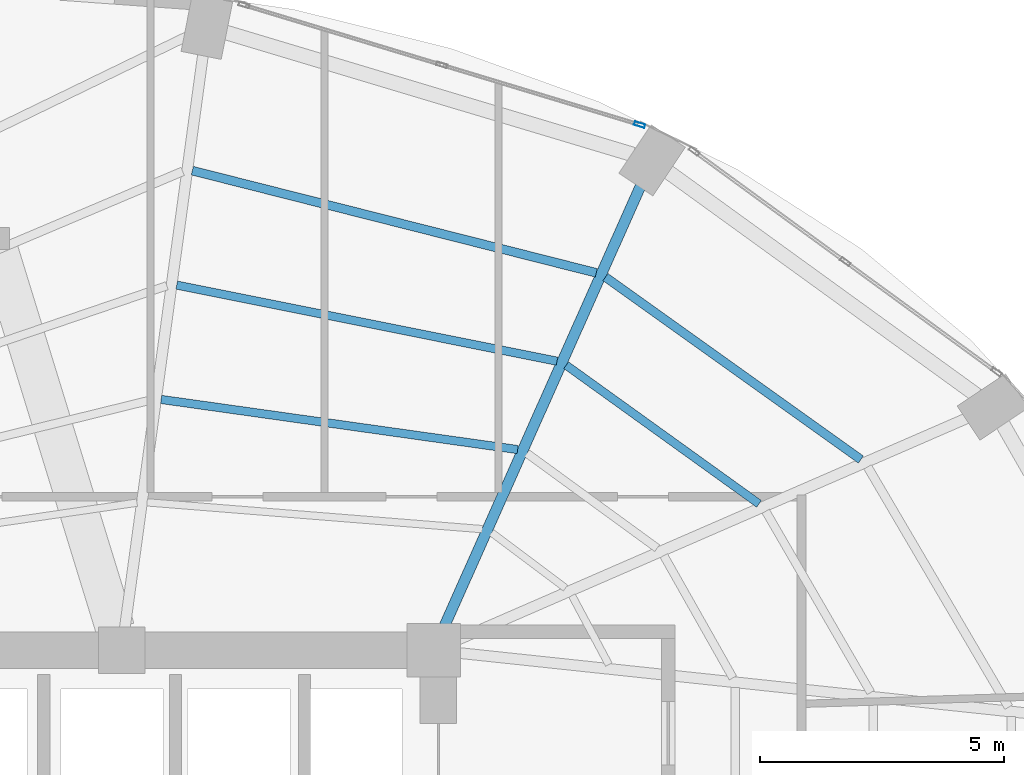
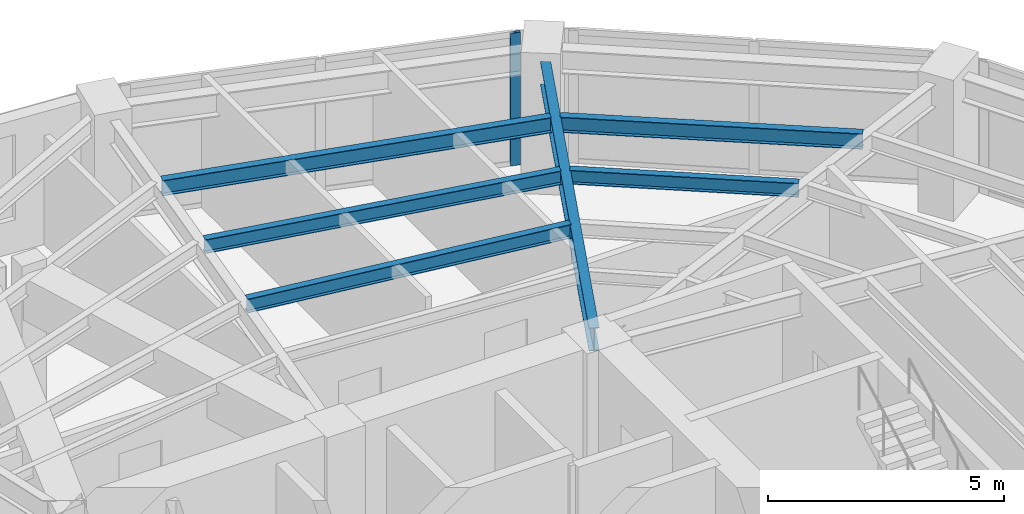
# One storey, part 16 of 23: 6 beams, 1 member, 1 element without a shape of its own.
"""IFC4 building model written with IfcOpenShell, lengths in metres."""

from ifc_helpers import new_model, si_unit, direction, frame, origin, origin_2d, place, context, subcontext, project, spatial, hollow_rectangle, i_section, extrude, material, layer, layer_set, material_profile, profile_set, type_object, element, aggregate, save


model = new_model("IFC4")

# Units and contexts
model_context = context("Model", 3, precision=1e-05, world=origin(), true_north=direction((0.0, 1.0)))
body_context = subcontext(model_context, "Body", "Model", "MODEL_VIEW")
ifc_project = project(units=[si_unit("LENGTHUNIT", "METRE"), si_unit("AREAUNIT", "SQUARE_METRE"), si_unit("VOLUMEUNIT", "CUBIC_METRE"), si_unit("PLANEANGLEUNIT", "RADIAN"), si_unit("MASSUNIT", "GRAM", prefix="KILO")], contexts=[model_context])

# Site, building, storey
site_placement = place(None, origin())
site = spatial("IfcSite", under=ifc_project, at=site_placement, CompositionType="ELEMENT")
building_placement = place(site_placement, origin())
building = spatial("IfcBuilding", under=site, at=building_placement, Name="Lazwardi Medical Tower", CompositionType="ELEMENT")
storey_placement = place(building_placement, frame((0.0, 0.0, 89.0400390625)))
storey = spatial("IfcBuildingStorey", under=building, at=storey_placement, Name="L22", CompositionType="ELEMENT", Elevation=89.0400390625)

# Beams
ifc_material_1 = material(Name="Steel S355", Category="steel")
ifc_material_profile_1 = material_profile(ifc_material_1, i_section(OverallWidth=0.219970703125, OverallDepth=0.60009765625, WebThickness=0.011962890625, FlangeThickness=0.01904296875, at=origin_2d()), Name="IPE 600")
ifc_profile_set_1 = profile_set([ifc_material_profile_1], Name="Steel S355")
beam_type_1 = type_object("IfcBeamType", Name="BM-RG-W1", PredefinedType="BEAM", material=ifc_profile_set_1)
beam_1_placement = place(storey_placement, frame((49.847412109375, 45.127685546875, 3.1279296875), z_axis=(-0.407165924957, -0.913354208155, 0.0), x_axis=(0.913354208155, -0.407165924957, 0.0)))
element("IfcBeam", 1, at=beam_1_placement, inside=storey, type_object=beam_type_1, Name="Radial girder RG-02 R07 L22", PredefinedType="BEAM", context=body_context, shape_type="SweptSolid", body=[
    extrude(i_section(OverallWidth=0.219970703125, OverallDepth=0.60009765625, WebThickness=0.011962890625, FlangeThickness=0.01904296875, at=origin_2d()), origin(), (0.0, 0.0, 1.0), 9.896484375),
])
ifc_material_profile_2 = material_profile(ifc_material_1, i_section(OverallWidth=0.179931640625, OverallDepth=0.39990234375, WebThickness=0.008544921875, FlangeThickness=0.013427734375, at=origin_2d()), Name="IPE 400")
ifc_profile_set_2 = profile_set([ifc_material_profile_2], Name="Steel S355")
beam_type_2 = type_object("IfcBeamType", Name="BM-SJ-01", PredefinedType="JOIST", material=ifc_profile_set_2)
beam_2_placement = place(storey_placement, frame((54.369384765625, 39.514404296875, 3.22802734375), z_axis=(-0.813748834317, 0.581216684763, 0.0), x_axis=(-0.581216684763, -0.813748834317, 0.0)))
element("IfcBeam", 2, at=beam_2_placement, inside=storey, type_object=beam_type_2, Name="Secondary joist SJ-01 R1 B06 L22", PredefinedType="JOIST", context=body_context, shape_type="SweptSolid", body=[
    extrude(i_section(OverallWidth=0.179931640625, OverallDepth=0.39990234375, WebThickness=0.008544921875, FlangeThickness=0.013427734375, at=origin_2d()), origin(), (0.0, 0.0, 1.0), 6.4423828125),
])
beam_3_placement = place(storey_placement, frame((48.939697265625, 43.345703125, 3.22802734375), z_axis=(-0.96945186753, 0.245281626997, 0.0), x_axis=(-0.245281626997, -0.96945186753, 0.0)))
element("IfcBeam", 3, at=beam_3_placement, inside=storey, type_object=beam_type_2, Name="Secondary joist SJ-01 R1 B07 L22", PredefinedType="JOIST", context=body_context, shape_type="SweptSolid", body=[
    extrude(i_section(OverallWidth=0.179931640625, OverallDepth=0.39990234375, WebThickness=0.008544921875, FlangeThickness=0.013427734375, at=origin_2d()), origin(), (0.0, 0.0, 1.0), 8.552978515625),
])
ifc_material_profile_3 = material_profile(ifc_material_1, i_section(OverallWidth=0.169921875, OverallDepth=0.360107421875, WebThickness=0.008056640625, FlangeThickness=0.0126953125, at=origin_2d()), Name="IPE 360")
ifc_profile_set_3 = profile_set([ifc_material_profile_3], Name="Steel S355")
beam_type_3 = type_object("IfcBeamType", Name="BM-SJ-02", PredefinedType="JOIST", material=ifc_profile_set_3)
beam_4_placement = place(storey_placement, frame((52.278564453125, 38.604736328125, 3.248046875), z_axis=(-0.811888517177, 0.583812500446, 0.0), x_axis=(-0.583812500446, -0.811888517177, 0.0)))
element("IfcBeam", 4, at=beam_4_placement, inside=storey, type_object=beam_type_3, Name="Secondary joist SJ-02 R2 B06 L22", PredefinedType="JOIST", context=body_context, shape_type="SweptSolid", body=[
    extrude(i_section(OverallWidth=0.169921875, OverallDepth=0.360107421875, WebThickness=0.008056640625, FlangeThickness=0.0126953125, at=origin_2d()), origin(), (0.0, 0.0, 1.0), 4.874755859375),
])
beam_5_placement = place(storey_placement, frame((48.1328125, 41.53271484375, 3.248046875), z_axis=(-0.980542906584, 0.196304886203, 0.0), x_axis=(-0.196304886203, -0.980542906584, 0.0)))
element("IfcBeam", 5, at=beam_5_placement, inside=storey, type_object=beam_type_3, Name="Secondary joist SJ-02 R2 B07 L22", PredefinedType="JOIST", context=body_context, shape_type="SweptSolid", body=[
    extrude(i_section(OverallWidth=0.169921875, OverallDepth=0.360107421875, WebThickness=0.008056640625, FlangeThickness=0.0126953125, at=origin_2d()), origin(), (0.0, 0.0, 1.0), 7.95947265625),
])
beam_6_placement = place(storey_placement, frame((47.32568359375, 39.718994140625, 3.248046875), z_axis=(-0.990260920731, 0.139223952222, 0.0), x_axis=(-0.139223952222, -0.990260920731, 0.0)))
element("IfcBeam", 6, at=beam_6_placement, inside=storey, type_object=beam_type_3, Name="Secondary joist SJ-02 R3 B07 L22", PredefinedType="JOIST", context=body_context, shape_type="SweptSolid", body=[
    extrude(i_section(OverallWidth=0.169921875, OverallDepth=0.360107421875, WebThickness=0.008056640625, FlangeThickness=0.0126953125, at=origin_2d()), origin(), (0.0, 0.0, 1.0), 7.3896484375),
])

# Curtain wall, member
ifc_material_2 = material(Name="Anodised bronze aluminium and solar control glazing", Category="aluminium")
ifc_layer = layer(ifc_material_2, 0.195068359375)
ifc_layer_set = layer_set([ifc_layer], Name="Anodised bronze aluminium and solar control glazing")
curtain_wall_type = type_object("IfcCurtainWallType", Name="CW-SYS-03", PredefinedType="NOTDEFINED", material=ifc_layer_set)
curtain_wall_placement = place(storey_placement, origin())
curtain_wall = element("IfcCurtainWall", 7, at=curtain_wall_placement, inside=storey, type_object=curtain_wall_type, Name="L22 Unitised bronze curtain wall CW-03", PredefinedType="NOTDEFINED")
ifc_material_3 = material(Name="Anodised bronze aluminium", Category="aluminium")
ifc_material_profile_4 = material_profile(ifc_material_3, hollow_rectangle(XDim=0.074951171875, YDim=0.219970703125, WallThickness=0.00390625, at=origin_2d()), Name="ALU-MULLION 220x75x4")
ifc_profile_set_4 = profile_set([ifc_material_profile_4], Name="Anodised bronze aluminium")
member_type = type_object("IfcMemberType", Name="CW-MUL-01", PredefinedType="MULLION", material=ifc_profile_set_4)
member_placement = place(storey_placement, frame((49.828369140625, 46.385986328125, 0.0), z_axis=(0.0, 0.0, 1.0), x_axis=(-0.28937381157, -0.957216170558, 0.0)))
member = element("IfcMember", 8, at=member_placement, type_object=member_type, Name="CW-03 mullion 1", PredefinedType="MULLION", context=body_context, shape_type="SweptSolid", body=[
    extrude(hollow_rectangle(XDim=0.074951171875, YDim=0.219970703125, WallThickness=0.00390625, at=origin_2d()), origin(), (0.0, 0.0, 1.0), 3.427978515625),
])
aggregate(curtain_wall, [member])

save(model, "model.ifc")
